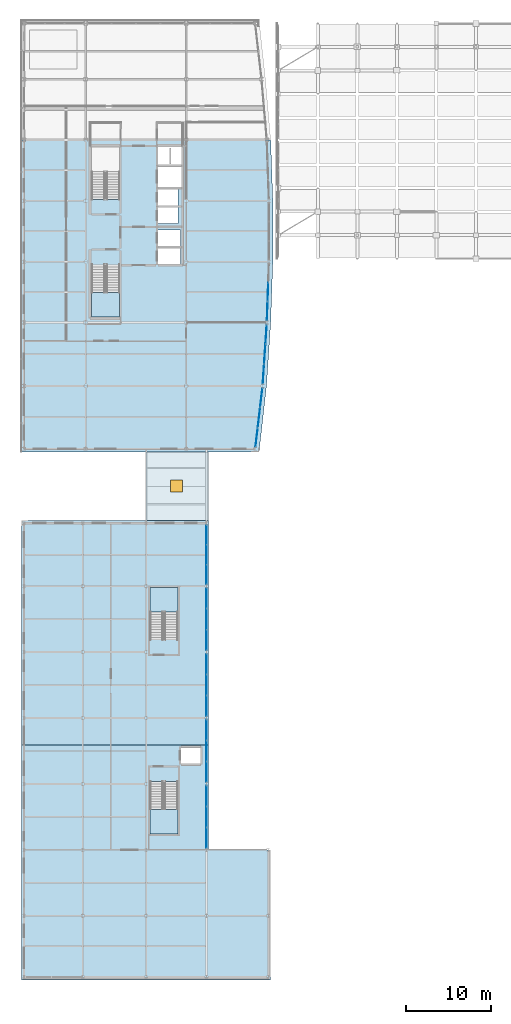
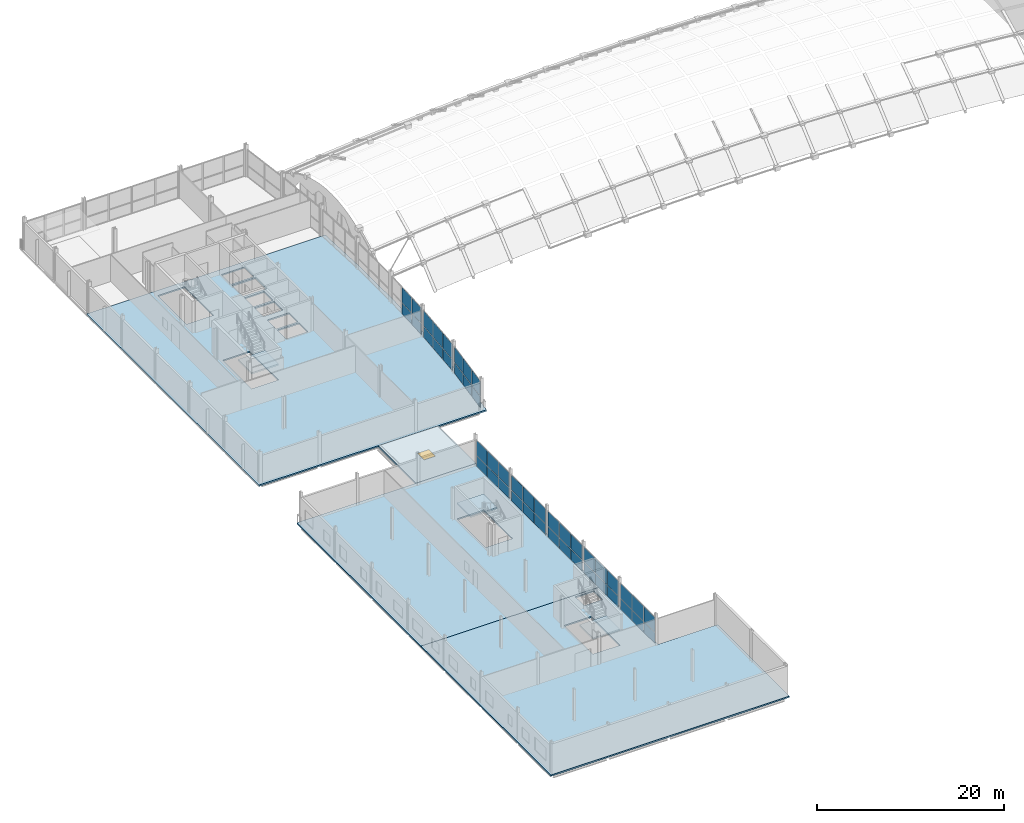
# One storey, part 41 of 65: 46 plates, 7 slabs, 1 window, 1 opening, 11 elements without a shape of their own.
"""IFC4 building model written with IfcOpenShell, lengths in metres."""

import ifcopenshell
import ifcopenshell.guid

model = None  # the IFC model being written
_history = None  # IfcOwnerHistory: only IFC2X3 demands one
_inside = {}  # id of a spatial element -> (the spatial element, [elements in it])
_under = {}  # id of a project, library or spatial element -> (it, [spatial elements below it])
_declared = {}  # id of a project -> (the project, [libraries it declares])
_typed = {}  # id of a type object -> (the type object, [elements of that type])
_made_of = {}  # id of a material, layer set ... -> (it, [elements and type objects made of it])


def new_model(schema):
    """Start an empty IFC model of exactly this schema.

    Asked for "IFC4X3", IfcOpenShell would pick the latest addendum, in which some entities
    have other attributes; the version numbers below select the first issue.
    IFC2X3 requires an IfcOwnerHistory on every rooted entity: one is made here for all.
    """
    global model, _history
    if schema == "IFC4X3":
        model = ifcopenshell.file(schema_version=(4, 3, 0, 0))
    else:
        model = ifcopenshell.file(schema=schema)
    _inside.clear()
    _under.clear()
    _declared.clear()
    _typed.clear()
    _made_of.clear()
    _history = None
    if model.schema == "IFC2X3":
        org = make("IfcOrganization", Name="unknown")
        user = make(
            "IfcPersonAndOrganization",
            ThePerson=make("IfcPerson", FamilyName="unknown"),
            TheOrganization=org,
        )
        app = make(
            "IfcApplication",
            ApplicationDeveloper=org,
            Version="unknown",
            ApplicationFullName="unknown",
            ApplicationIdentifier="unknown",
        )
        _history = make(
            "IfcOwnerHistory",
            OwningUser=user,
            OwningApplication=app,
            ChangeAction="ADDED",
            CreationDate=0,
        )
    return model


def make(cls, **values):
    """One entity of the class cls with the attributes given. An attribute that is None is left unset."""
    return model.create_entity(
        cls, **{name: value for name, value in values.items() if value is not None}
    )


def rooted(cls, **values):
    """An entity with a GlobalId (a new one), such as an element, a storey or a relation."""
    return make(cls, GlobalId=ifcopenshell.guid.new(), OwnerHistory=_history, **values)


def si_unit(unit_type, name, prefix=None):
    """IfcSIUnit, for example si_unit("LENGTHUNIT", "METRE", prefix="MILLI")."""
    return make("IfcSIUnit", UnitType=unit_type, Prefix=prefix, Name=name)


def assignment(units):
    """IfcUnitAssignment: the units of a project."""
    return None if units is None else make("IfcUnitAssignment", Units=units)


def point(xyz):
    """IfcCartesianPoint."""
    return None if xyz is None else make("IfcCartesianPoint", Coordinates=xyz)


def direction(xyz):
    """IfcDirection."""
    return None if xyz is None else make("IfcDirection", DirectionRatios=xyz)


def frame(location, z_axis=None, x_axis=None):
    """IfcAxis2Placement3D, a coordinate frame: its origin and axes. An axis left out is left unset."""
    return make(
        "IfcAxis2Placement3D",
        Location=point(location),
        Axis=direction(z_axis),
        RefDirection=direction(x_axis),
    )


def frame_2d(location, x_axis=None):
    """IfcAxis2Placement2D, a coordinate frame in the plane: its origin and x axis."""
    return make(
        "IfcAxis2Placement2D", Location=point(location), RefDirection=direction(x_axis)
    )


def origin():
    """The frame at (0, 0, 0) with its axes left unset."""
    return frame((0.0, 0.0, 0.0))


def origin_2d():
    """The frame at (0, 0) in the plane with its x axis left unset."""
    return frame_2d((0.0, 0.0))


def place(relative_to, where):
    """IfcLocalPlacement: puts the frame where relative to a parent placement (None: the world)."""
    return make(
        "IfcLocalPlacement", PlacementRelTo=relative_to, RelativePlacement=where
    )


def context(
    kind, dimensions, precision=None, world=None, true_north=None, identifier=None
):
    """IfcGeometricRepresentationContext, for example the 3D "Model" context."""
    return make(
        "IfcGeometricRepresentationContext",
        ContextIdentifier=identifier,
        ContextType=kind,
        CoordinateSpaceDimension=dimensions,
        Precision=precision,
        WorldCoordinateSystem=world,
        TrueNorth=true_north,
    )


def subcontext(parent, identifier, kind, view, scale=None):
    """IfcGeometricRepresentationSubContext, for example "Body" below "Model"."""
    return make(
        "IfcGeometricRepresentationSubContext",
        ContextIdentifier=identifier,
        ContextType=kind,
        ParentContext=parent,
        TargetScale=scale,
        TargetView=view,
    )


def project(units=None, contexts=None):
    """IfcProject with its units and contexts."""
    return rooted(
        "IfcProject",
        Name="project",
        RepresentationContexts=contexts,
        UnitsInContext=assignment(units),
    )


def spatial(cls, under=None, at=None, **own):
    """A site, building, storey or space (cls), placed at a placement, below another one or the project."""
    s = rooted(cls, ObjectPlacement=at, **own)
    if under is not None:
        _under.setdefault(under.id(), (under, []))[1].append(s)
    return s


def polyline(points):
    """IfcPolyline through the points."""
    return make("IfcPolyline", Points=[point(p) for p in points])


def profile(cls, at=None, kind="AREA", **sizes):
    """A parametric profile (cls). Its sizes go by their IFC names, for example OverallWidth=200.0."""
    return make(cls, ProfileType=kind, Position=at, **sizes)


def rectangle(**sizes):
    """IfcRectangleProfileDef."""
    return profile("IfcRectangleProfileDef", **sizes)


def outline(outer, holes=None, kind="AREA"):
    """IfcArbitraryClosedProfileDef: a profile drawn as a closed curve; with holes, ...WithVoids."""
    if holes is None:
        return make("IfcArbitraryClosedProfileDef", ProfileType=kind, OuterCurve=outer)
    return make(
        "IfcArbitraryProfileDefWithVoids",
        ProfileType=kind,
        OuterCurve=outer,
        InnerCurves=holes,
    )


def extrude(swept, where, along, depth):
    """IfcExtrudedAreaSolid: the profile swept, set in the frame where, extruded along a direction by depth."""
    return make(
        "IfcExtrudedAreaSolid",
        SweptArea=swept,
        Position=where,
        ExtrudedDirection=direction(along),
        Depth=depth,
    )


def shape(context_of_items, identifier, shape_type, items):
    """IfcShapeRepresentation: the items that make up one representation, for example the "Body"."""
    return make(
        "IfcShapeRepresentation",
        ContextOfItems=context_of_items,
        RepresentationIdentifier=identifier,
        RepresentationType=shape_type,
        Items=items,
    )


def material(Name=None, Category=None):
    """IfcMaterial."""
    return make("IfcMaterial", Name=Name, Category=Category)


def layer(
    of_material, thickness, ventilated=None, Name=None, Category=None, Priority=None
):
    """IfcMaterialLayer: one layer of a wall or slab, of a material (None: an air gap)."""
    return make(
        "IfcMaterialLayer",
        Material=of_material,
        LayerThickness=thickness,
        IsVentilated=ventilated,
        Name=Name,
        Category=Category,
        Priority=Priority,
    )


def layer_set(layers, Name=None):
    """IfcMaterialLayerSet."""
    return make("IfcMaterialLayerSet", MaterialLayers=layers, LayerSetName=Name)


def made_of(thing, what):
    """Note that an element or type object is made of a material, layer set ...; save() writes the relation."""
    if what is not None:
        _made_of.setdefault(what.id(), (what, []))[1].append(thing)
    return thing


def type_object(cls, material=None, **own):
    """A type object (cls), such as IfcWallType, which elements share."""
    return made_of(rooted(cls, **own), material)


def element(
    cls,
    number,
    at=None,
    inside=None,
    cuts=None,
    type_object=None,
    material=None,
    context=None,
    identifier="Body",
    shape_type=None,
    held_by="IfcProductDefinitionShape",
    body=None,
    shapes=None,
    **own,
):
    """One element of the class cls, such as IfcWall. Its Tag is "e" and its number.

    at: its placement. inside: the storey or other place that contains it. cuts: it is an
    opening in that element (IfcRelVoidsElement). A single representation is given by context,
    identifier, shape_type and body (its items); several are given by shapes. held_by: the class
    of the entity that holds the representations. save() writes the other relations.
    """
    e = rooted(cls, Tag="e%d" % number, ObjectPlacement=at, **own)
    if body is not None:
        shapes = [shape(context, identifier, shape_type, body)]
    if shapes is not None:
        e.Representation = make(held_by, Representations=shapes)
    if inside is not None:
        _inside.setdefault(inside.id(), (inside, []))[1].append(e)
    if cuts is not None:
        rooted(
            "IfcRelVoidsElement", RelatingBuildingElement=cuts, RelatedOpeningElement=e
        )
    if type_object is not None:
        _typed.setdefault(type_object.id(), (type_object, []))[1].append(e)
    return made_of(e, material)


def fill(opening, filler):
    """IfcRelFillsElement: the door or window that sits in an opening."""
    return rooted(
        "IfcRelFillsElement",
        RelatingOpeningElement=opening,
        RelatedBuildingElement=filler,
    )


def aggregate(whole, parts):
    """IfcRelAggregates: a whole, such as a stair, and the parts it consists of."""
    return rooted("IfcRelAggregates", RelatingObject=whole, RelatedObjects=parts)


def save(model, path):
    """Write the relations noted so far, then the file.

    IfcRelAggregates (storeys below a building ...), IfcRelContainedInSpatialStructure (elements
    in a storey), IfcRelDefinesByType, IfcRelAssociatesMaterial and IfcRelDeclares: one each for
    every whole, place, type object, material and project.
    """
    for whole, parts in _under.values():
        aggregate(whole, parts)
    for where, things in _inside.values():
        rooted(
            "IfcRelContainedInSpatialStructure",
            RelatedElements=things,
            RelatingStructure=where,
        )
    for kind, things in _typed.values():
        rooted("IfcRelDefinesByType", RelatedObjects=things, RelatingType=kind)
    for what, things in _made_of.values():
        rooted("IfcRelAssociatesMaterial", RelatedObjects=things, RelatingMaterial=what)
    for by, libraries in _declared.values():
        rooted("IfcRelDeclares", RelatingContext=by, RelatedDefinitions=libraries)
    model.write(path)


model = new_model("IFC4")

# Units and contexts
model_context = context("Model", 3, precision=1e-05, world=origin(), true_north=direction((0.0, 1.0)))
body_context = subcontext(model_context, "Body", "Model", "MODEL_VIEW")
ifc_project = project(units=[si_unit("LENGTHUNIT", "METRE"), si_unit("AREAUNIT", "SQUARE_METRE"), si_unit("VOLUMEUNIT", "CUBIC_METRE"), si_unit("PLANEANGLEUNIT", "RADIAN"), si_unit("MASSUNIT", "GRAM", prefix="KILO")], contexts=[model_context])

# Site, building, storey
site_placement = place(None, origin())
site = spatial("IfcSite", under=ifc_project, at=site_placement, CompositionType="ELEMENT")
building_placement = place(site_placement, origin())
building = spatial("IfcBuilding", under=site, at=building_placement, Name="Quillay Park Conservatory", CompositionType="ELEMENT")
storey_placement = place(building_placement, frame((0.0, 0.0, 14.10009765625)))
storey = spatial("IfcBuildingStorey", under=building, at=storey_placement, Name="L03", CompositionType="ELEMENT", Elevation=14.10009765625)

# Curtain wall, plates
ifc_material_1 = material(Name="Thermally Broken Anodised Aluminium 6063-T6", Category="aluminium")
ifc_layer_1 = layer(ifc_material_1, 0.179931640625)
ifc_layer_set_1 = layer_set([ifc_layer_1], Name="UNITISED CURTAIN WALL TOWER (Thermally Broken Anodised Aluminium 6063-T6)")
curtain_wall_type_1 = type_object("IfcCurtainWallType", Name="UNITISED CURTAIN WALL TOWER", PredefinedType="USERDEFINED", material=ifc_layer_set_1)
curtain_wall_1_placement = place(storey_placement, origin())
curtain_wall_1 = element("IfcCurtainWall", 1, at=curtain_wall_1_placement, inside=storey, type_object=curtain_wall_type_1, Name="L03 Unitised Curtain Wall 028", ObjectType="UNITISED CURTAIN WALL", PredefinedType="USERDEFINED")
ifc_material_2 = material(Name="Low-E Double Glazing (Laminated Tempered)", Category="glass")
ifc_layer_2 = layer(ifc_material_2, 0.028076171875)
ifc_layer_set_2 = layer_set([ifc_layer_2], Name="CURTAIN WALL GLAZED PANEL 28 (Low-E Double Glazing (Laminated Tempered))")
plate_type = type_object("IfcPlateType", Name="CURTAIN WALL GLAZED PANEL 28", PredefinedType="CURTAIN_PANEL", material=ifc_layer_set_2)
plate_1_placement = place(storey_placement, frame((28.636474609375, 69.108642578125, 0.06982421875), z_axis=(0.0, 0.0, 1.0), x_axis=(-0.116654959918, -0.993172502804, 0.0)))
plate_1 = element("IfcPlate", 2, at=plate_1_placement, type_object=plate_type, Name="CW-T1 panel 1.1", PredefinedType="CURTAIN_PANEL", context=body_context, shape_type="SweptSolid", body=[
    extrude(rectangle(XDim=2.26220703125, YDim=0.028076171875, at=origin_2d()), origin(), (0.0, 0.0, 1.0), 1.406494140625),
])
plate_2_placement = place(storey_placement, frame((28.636474609375, 69.108642578125, 1.54638671875), z_axis=(0.0, 0.0, 1.0), x_axis=(-0.116654959918, -0.993172502804, 0.0)))
plate_2 = element("IfcPlate", 3, at=plate_2_placement, type_object=plate_type, Name="CW-T1 panel 1.2", PredefinedType="CURTAIN_PANEL", context=body_context, shape_type="SweptSolid", body=[
    extrude(rectangle(XDim=2.26220703125, YDim=0.028076171875, at=origin_2d()), origin(), (0.0, 0.0, 1.0), 1.982421875),
])
plate_3_placement = place(storey_placement, frame((28.362548828125, 66.77490234375, 0.06982421875), z_axis=(0.0, 0.0, 1.0), x_axis=(-0.116654959918, -0.993172502804, 0.0)))
plate_3 = element("IfcPlate", 4, at=plate_3_placement, type_object=plate_type, Name="CW-T1 panel 2.1", PredefinedType="CURTAIN_PANEL", context=body_context, shape_type="SweptSolid", body=[
    extrude(rectangle(XDim=2.297119140625, YDim=0.028076171875, at=origin_2d()), origin(), (0.0, 0.0, 1.0), 1.406494140625),
])
plate_4_placement = place(storey_placement, frame((28.362548828125, 66.77490234375, 1.54638671875), z_axis=(0.0, 0.0, 1.0), x_axis=(-0.116654959918, -0.993172502804, 0.0)))
plate_4 = element("IfcPlate", 5, at=plate_4_placement, type_object=plate_type, Name="CW-T1 panel 2.2", PredefinedType="CURTAIN_PANEL", context=body_context, shape_type="SweptSolid", body=[
    extrude(rectangle(XDim=2.297119140625, YDim=0.028076171875, at=origin_2d()), origin(), (0.0, 0.0, 1.0), 1.982421875),
])
plate_5_placement = place(storey_placement, frame((28.08837890625, 64.44140625, 0.06982421875), z_axis=(0.0, 0.0, 1.0), x_axis=(-0.116654959918, -0.993172502804, 0.0)))
plate_5 = element("IfcPlate", 6, at=plate_5_placement, type_object=plate_type, Name="CW-T1 panel 3.1", PredefinedType="CURTAIN_PANEL", context=body_context, shape_type="SweptSolid", body=[
    extrude(rectangle(XDim=2.26220703125, YDim=0.028076171875, at=origin_2d()), origin(), (0.0, 0.0, 1.0), 1.406494140625),
])
plate_6_placement = place(storey_placement, frame((28.08837890625, 64.44140625, 1.54638671875), z_axis=(0.0, 0.0, 1.0), x_axis=(-0.116654959918, -0.993172502804, 0.0)))
plate_6 = element("IfcPlate", 7, at=plate_6_placement, type_object=plate_type, Name="CW-T1 panel 3.2", PredefinedType="CURTAIN_PANEL", context=body_context, shape_type="SweptSolid", body=[
    extrude(rectangle(XDim=2.26220703125, YDim=0.028076171875, at=origin_2d()), origin(), (0.0, 0.0, 1.0), 1.982421875),
])
aggregate(curtain_wall_1, [plate_1, plate_2, plate_3, plate_4, plate_5, plate_6])

curtain_wall_2_placement = place(storey_placement, origin())
curtain_wall_2 = element("IfcCurtainWall", 8, at=curtain_wall_2_placement, inside=storey, type_object=curtain_wall_type_1, Name="L03 Unitised Curtain Wall 029", ObjectType="UNITISED CURTAIN WALL", PredefinedType="USERDEFINED")
plate_7_placement = place(storey_placement, frame((29.20654296875, 76.599365234375, 0.06982421875), z_axis=(0.0, 0.0, 1.0), x_axis=(-0.0665208758, -0.997785033503, 0.0)))
plate_7 = element("IfcPlate", 9, at=plate_7_placement, type_object=plate_type, Name="CW-T1 panel 1.1", PredefinedType="CURTAIN_PANEL", context=body_context, shape_type="SweptSolid", body=[
    extrude(rectangle(XDim=2.26708984375, YDim=0.028076171875, at=origin_2d()), origin(), (0.0, 0.0, 1.0), 1.406494140625),
])
plate_8_placement = place(storey_placement, frame((29.20654296875, 76.599365234375, 1.54638671875), z_axis=(0.0, 0.0, 1.0), x_axis=(-0.0665208758, -0.997785033503, 0.0)))
plate_8 = element("IfcPlate", 10, at=plate_8_placement, type_object=plate_type, Name="CW-T1 panel 1.2", PredefinedType="CURTAIN_PANEL", context=body_context, shape_type="SweptSolid", body=[
    extrude(rectangle(XDim=2.26708984375, YDim=0.028076171875, at=origin_2d()), origin(), (0.0, 0.0, 1.0), 1.982421875),
])
plate_9_placement = place(storey_placement, frame((29.050048828125, 74.25, 0.06982421875), z_axis=(0.0, 0.0, 1.0), x_axis=(-0.0665208758, -0.997785033503, 0.0)))
plate_9 = element("IfcPlate", 11, at=plate_9_placement, type_object=plate_type, Name="CW-T1 panel 2.1", PredefinedType="CURTAIN_PANEL", context=body_context, shape_type="SweptSolid", body=[
    extrude(rectangle(XDim=2.30224609375, YDim=0.028076171875, at=origin_2d()), origin(), (0.0, 0.0, 1.0), 1.406494140625),
])
plate_10_placement = place(storey_placement, frame((29.050048828125, 74.25, 1.54638671875), z_axis=(0.0, 0.0, 1.0), x_axis=(-0.0665208758, -0.997785033503, 0.0)))
plate_10 = element("IfcPlate", 12, at=plate_10_placement, type_object=plate_type, Name="CW-T1 panel 2.2", PredefinedType="CURTAIN_PANEL", context=body_context, shape_type="SweptSolid", body=[
    extrude(rectangle(XDim=2.30224609375, YDim=0.028076171875, at=origin_2d()), origin(), (0.0, 0.0, 1.0), 1.982421875),
])
plate_11_placement = place(storey_placement, frame((28.893310546875, 71.900634765625, 0.06982421875), z_axis=(0.0, 0.0, 1.0), x_axis=(-0.0665208758, -0.997785033503, 0.0)))
plate_11 = element("IfcPlate", 13, at=plate_11_placement, type_object=plate_type, Name="CW-T1 panel 3.1", PredefinedType="CURTAIN_PANEL", context=body_context, shape_type="SweptSolid", body=[
    extrude(rectangle(XDim=2.26708984375, YDim=0.028076171875, at=origin_2d()), origin(), (0.0, 0.0, 1.0), 1.406494140625),
])
plate_12_placement = place(storey_placement, frame((28.893310546875, 71.900634765625, 1.54638671875), z_axis=(0.0, 0.0, 1.0), x_axis=(-0.0665208758, -0.997785033503, 0.0)))
plate_12 = element("IfcPlate", 14, at=plate_12_placement, type_object=plate_type, Name="CW-T1 panel 3.2", PredefinedType="CURTAIN_PANEL", context=body_context, shape_type="SweptSolid", body=[
    extrude(rectangle(XDim=2.26708984375, YDim=0.028076171875, at=origin_2d()), origin(), (0.0, 0.0, 1.0), 1.982421875),
])
aggregate(curtain_wall_2, [plate_7, plate_8, plate_9, plate_10, plate_11, plate_12])

curtain_wall_3_placement = place(storey_placement, origin())
curtain_wall_3 = element("IfcCurtainWall", 15, at=curtain_wall_3_placement, inside=storey, type_object=curtain_wall_type_1, Name="L03 Unitised Curtain Wall 030", ObjectType="UNITISED CURTAIN WALL", PredefinedType="USERDEFINED")
plate_13_placement = place(storey_placement, frame((29.425048828125, 81.60009765625, 0.06982421875), z_axis=(0.0, 0.0, 1.0), x_axis=(-0.034713338537, -0.999397310446, 0.0)))
plate_13 = element("IfcPlate", 16, at=plate_13_placement, type_object=plate_type, Name="CW-T1 panel 2.1", PredefinedType="CURTAIN_PANEL", context=body_context, shape_type="SweptSolid", body=[
    extrude(rectangle(XDim=2.197998046875, YDim=0.028076171875, at=origin_2d()), origin(), (0.0, 0.0, 1.0), 1.406494140625),
])
plate_14_placement = place(storey_placement, frame((29.425048828125, 81.60009765625, 1.54638671875), z_axis=(0.0, 0.0, 1.0), x_axis=(-0.034713338537, -0.999397310446, 0.0)))
plate_14 = element("IfcPlate", 17, at=plate_14_placement, type_object=plate_type, Name="CW-T1 panel 2.2", PredefinedType="CURTAIN_PANEL", context=body_context, shape_type="SweptSolid", body=[
    extrude(rectangle(XDim=2.197998046875, YDim=0.028076171875, at=origin_2d()), origin(), (0.0, 0.0, 1.0), 1.982421875),
])
plate_15_placement = place(storey_placement, frame((29.346923828125, 79.350830078125, 0.06982421875), z_axis=(0.0, 0.0, 1.0), x_axis=(-0.034713338537, -0.999397310446, 0.0)))
plate_15 = element("IfcPlate", 18, at=plate_15_placement, type_object=plate_type, Name="CW-T1 panel 3.1", PredefinedType="CURTAIN_PANEL", context=body_context, shape_type="SweptSolid", body=[
    extrude(rectangle(XDim=2.1630859375, YDim=0.028076171875, at=origin_2d()), origin(), (0.0, 0.0, 1.0), 1.406494140625),
])
plate_16_placement = place(storey_placement, frame((29.346923828125, 79.350830078125, 1.54638671875), z_axis=(0.0, 0.0, 1.0), x_axis=(-0.034713338537, -0.999397310446, 0.0)))
plate_16 = element("IfcPlate", 19, at=plate_16_placement, type_object=plate_type, Name="CW-T1 panel 3.2", PredefinedType="CURTAIN_PANEL", context=body_context, shape_type="SweptSolid", body=[
    extrude(rectangle(XDim=2.1630859375, YDim=0.028076171875, at=origin_2d()), origin(), (0.0, 0.0, 1.0), 1.982421875),
])
aggregate(curtain_wall_3, [plate_13, plate_14, plate_15, plate_16])

ifc_material_3 = material(Name="Thermally Broken Anodised Aluminium 6063-T6", Category="aluminium")
ifc_layer_3 = layer(ifc_material_3, 0.1650390625)
ifc_layer_set_3 = layer_set([ifc_layer_3], Name="UNITISED CURTAIN WALL PODIUM (Thermally Broken Anodised Aluminium 6063-T6)")
curtain_wall_type_2 = type_object("IfcCurtainWallType", Name="UNITISED CURTAIN WALL PODIUM", PredefinedType="USERDEFINED", material=ifc_layer_set_3)
curtain_wall_4_placement = place(storey_placement, origin())
curtain_wall_4 = element("IfcCurtainWall", 20, at=curtain_wall_4_placement, inside=storey, type_object=curtain_wall_type_2, Name="L03 Unitised Curtain Wall 210", ObjectType="UNITISED CURTAIN WALL", PredefinedType="USERDEFINED")
plate_17_placement = place(storey_placement, frame((22.14990234375, 21.975830078125, 0.06982421875), z_axis=(0.0, 0.0, 1.0), x_axis=(0.0, -1.0, 0.0)))
plate_17 = element("IfcPlate", 21, at=plate_17_placement, type_object=plate_type, Name="CW-P1 panel 1.1", PredefinedType="CURTAIN_PANEL", context=body_context, shape_type="SweptSolid", body=[
    extrude(rectangle(XDim=2.388427734375, YDim=0.028076171875, at=origin_2d()), origin(), (0.0, 0.0, 1.0), 1.370849609375),
])
plate_18_placement = place(storey_placement, frame((22.14990234375, 21.975830078125, 1.5107421875), z_axis=(0.0, 0.0, 1.0), x_axis=(0.0, -1.0, 0.0)))
plate_18 = element("IfcPlate", 22, at=plate_18_placement, type_object=plate_type, Name="CW-P1 panel 1.2", PredefinedType="CURTAIN_PANEL", context=body_context, shape_type="SweptSolid", body=[
    extrude(rectangle(XDim=2.388427734375, YDim=0.028076171875, at=origin_2d()), origin(), (0.0, 0.0, 1.0), 1.93310546875),
])
plate_19_placement = place(storey_placement, frame((22.14990234375, 19.5, 0.06982421875), z_axis=(0.0, 0.0, 1.0), x_axis=(0.0, -1.0, 0.0)))
plate_19 = element("IfcPlate", 23, at=plate_19_placement, type_object=plate_type, Name="CW-P1 panel 2.1", PredefinedType="CURTAIN_PANEL", context=body_context, shape_type="SweptSolid", body=[
    extrude(rectangle(XDim=2.42333984375, YDim=0.028076171875, at=origin_2d()), origin(), (0.0, 0.0, 1.0), 1.370849609375),
])
plate_20_placement = place(storey_placement, frame((22.14990234375, 19.5, 1.5107421875), z_axis=(0.0, 0.0, 1.0), x_axis=(0.0, -1.0, 0.0)))
plate_20 = element("IfcPlate", 24, at=plate_20_placement, type_object=plate_type, Name="CW-P1 panel 2.2", PredefinedType="CURTAIN_PANEL", context=body_context, shape_type="SweptSolid", body=[
    extrude(rectangle(XDim=2.42333984375, YDim=0.028076171875, at=origin_2d()), origin(), (0.0, 0.0, 1.0), 1.93310546875),
])
plate_21_placement = place(storey_placement, frame((22.14990234375, 17.024169921875, 0.06982421875), z_axis=(0.0, 0.0, 1.0), x_axis=(0.0, -1.0, 0.0)))
plate_21 = element("IfcPlate", 25, at=plate_21_placement, type_object=plate_type, Name="CW-P1 panel 3.1", PredefinedType="CURTAIN_PANEL", context=body_context, shape_type="SweptSolid", body=[
    extrude(rectangle(XDim=2.388427734375, YDim=0.028076171875, at=origin_2d()), origin(), (0.0, 0.0, 1.0), 1.370849609375),
])
plate_22_placement = place(storey_placement, frame((22.14990234375, 17.024169921875, 1.5107421875), z_axis=(0.0, 0.0, 1.0), x_axis=(0.0, -1.0, 0.0)))
plate_22 = element("IfcPlate", 26, at=plate_22_placement, type_object=plate_type, Name="CW-P1 panel 3.2", PredefinedType="CURTAIN_PANEL", context=body_context, shape_type="SweptSolid", body=[
    extrude(rectangle(XDim=2.388427734375, YDim=0.028076171875, at=origin_2d()), origin(), (0.0, 0.0, 1.0), 1.93310546875),
])
aggregate(curtain_wall_4, [plate_17, plate_18, plate_19, plate_20, plate_21, plate_22])

curtain_wall_5_placement = place(storey_placement, origin())
curtain_wall_5 = element("IfcCurtainWall", 27, at=curtain_wall_5_placement, inside=storey, type_object=curtain_wall_type_2, Name="L03 Unitised Curtain Wall 211", ObjectType="UNITISED CURTAIN WALL", PredefinedType="USERDEFINED")
plate_23_placement = place(storey_placement, frame((22.14990234375, 29.77587890625, 0.06982421875), z_axis=(0.0, 0.0, 1.0), x_axis=(0.0, -1.0, 0.0)))
plate_23 = element("IfcPlate", 28, at=plate_23_placement, type_object=plate_type, Name="CW-P1 panel 1.1", PredefinedType="CURTAIN_PANEL", context=body_context, shape_type="SweptSolid", body=[
    extrude(rectangle(XDim=2.388427734375, YDim=0.028076171875, at=origin_2d()), origin(), (0.0, 0.0, 1.0), 1.370849609375),
])
plate_24_placement = place(storey_placement, frame((22.14990234375, 29.77587890625, 1.5107421875), z_axis=(0.0, 0.0, 1.0), x_axis=(0.0, -1.0, 0.0)))
plate_24 = element("IfcPlate", 29, at=plate_24_placement, type_object=plate_type, Name="CW-P1 panel 1.2", PredefinedType="CURTAIN_PANEL", context=body_context, shape_type="SweptSolid", body=[
    extrude(rectangle(XDim=2.388427734375, YDim=0.028076171875, at=origin_2d()), origin(), (0.0, 0.0, 1.0), 1.93310546875),
])
plate_25_placement = place(storey_placement, frame((22.14990234375, 27.300048828125, 0.06982421875), z_axis=(0.0, 0.0, 1.0), x_axis=(0.0, -1.0, 0.0)))
plate_25 = element("IfcPlate", 30, at=plate_25_placement, type_object=plate_type, Name="CW-P1 panel 2.1", PredefinedType="CURTAIN_PANEL", context=body_context, shape_type="SweptSolid", body=[
    extrude(rectangle(XDim=2.42333984375, YDim=0.028076171875, at=origin_2d()), origin(), (0.0, 0.0, 1.0), 1.370849609375),
])
plate_26_placement = place(storey_placement, frame((22.14990234375, 27.300048828125, 1.5107421875), z_axis=(0.0, 0.0, 1.0), x_axis=(0.0, -1.0, 0.0)))
plate_26 = element("IfcPlate", 31, at=plate_26_placement, type_object=plate_type, Name="CW-P1 panel 2.2", PredefinedType="CURTAIN_PANEL", context=body_context, shape_type="SweptSolid", body=[
    extrude(rectangle(XDim=2.42333984375, YDim=0.028076171875, at=origin_2d()), origin(), (0.0, 0.0, 1.0), 1.93310546875),
])
plate_27_placement = place(storey_placement, frame((22.14990234375, 24.82421875, 0.06982421875), z_axis=(0.0, 0.0, 1.0), x_axis=(0.0, -1.0, 0.0)))
plate_27 = element("IfcPlate", 32, at=plate_27_placement, type_object=plate_type, Name="CW-P1 panel 3.1", PredefinedType="CURTAIN_PANEL", context=body_context, shape_type="SweptSolid", body=[
    extrude(rectangle(XDim=2.388427734375, YDim=0.028076171875, at=origin_2d()), origin(), (0.0, 0.0, 1.0), 1.370849609375),
])
plate_28_placement = place(storey_placement, frame((22.14990234375, 24.82421875, 1.5107421875), z_axis=(0.0, 0.0, 1.0), x_axis=(0.0, -1.0, 0.0)))
plate_28 = element("IfcPlate", 33, at=plate_28_placement, type_object=plate_type, Name="CW-P1 panel 3.2", PredefinedType="CURTAIN_PANEL", context=body_context, shape_type="SweptSolid", body=[
    extrude(rectangle(XDim=2.388427734375, YDim=0.028076171875, at=origin_2d()), origin(), (0.0, 0.0, 1.0), 1.93310546875),
])
aggregate(curtain_wall_5, [plate_23, plate_24, plate_25, plate_26, plate_27, plate_28])

curtain_wall_6_placement = place(storey_placement, origin())
curtain_wall_6 = element("IfcCurtainWall", 34, at=curtain_wall_6_placement, inside=storey, type_object=curtain_wall_type_2, Name="L03 Unitised Curtain Wall 212", ObjectType="UNITISED CURTAIN WALL", PredefinedType="USERDEFINED")
plate_29_placement = place(storey_placement, frame((22.14990234375, 37.575927734375, 0.06982421875), z_axis=(0.0, 0.0, 1.0), x_axis=(0.0, -1.0, 0.0)))
plate_29 = element("IfcPlate", 35, at=plate_29_placement, type_object=plate_type, Name="CW-P1 panel 1.1", PredefinedType="CURTAIN_PANEL", context=body_context, shape_type="SweptSolid", body=[
    extrude(rectangle(XDim=2.388427734375, YDim=0.028076171875, at=origin_2d()), origin(), (0.0, 0.0, 1.0), 1.370849609375),
])
plate_30_placement = place(storey_placement, frame((22.14990234375, 37.575927734375, 1.5107421875), z_axis=(0.0, 0.0, 1.0), x_axis=(0.0, -1.0, 0.0)))
plate_30 = element("IfcPlate", 36, at=plate_30_placement, type_object=plate_type, Name="CW-P1 panel 1.2", PredefinedType="CURTAIN_PANEL", context=body_context, shape_type="SweptSolid", body=[
    extrude(rectangle(XDim=2.388427734375, YDim=0.028076171875, at=origin_2d()), origin(), (0.0, 0.0, 1.0), 1.93310546875),
])
plate_31_placement = place(storey_placement, frame((22.14990234375, 35.10009765625, 0.06982421875), z_axis=(0.0, 0.0, 1.0), x_axis=(0.0, -1.0, 0.0)))
plate_31 = element("IfcPlate", 37, at=plate_31_placement, type_object=plate_type, Name="CW-P1 panel 2.1", PredefinedType="CURTAIN_PANEL", context=body_context, shape_type="SweptSolid", body=[
    extrude(rectangle(XDim=2.42333984375, YDim=0.028076171875, at=origin_2d()), origin(), (0.0, 0.0, 1.0), 1.370849609375),
])
plate_32_placement = place(storey_placement, frame((22.14990234375, 35.10009765625, 1.5107421875), z_axis=(0.0, 0.0, 1.0), x_axis=(0.0, -1.0, 0.0)))
plate_32 = element("IfcPlate", 38, at=plate_32_placement, type_object=plate_type, Name="CW-P1 panel 2.2", PredefinedType="CURTAIN_PANEL", context=body_context, shape_type="SweptSolid", body=[
    extrude(rectangle(XDim=2.42333984375, YDim=0.028076171875, at=origin_2d()), origin(), (0.0, 0.0, 1.0), 1.93310546875),
])
plate_33_placement = place(storey_placement, frame((22.14990234375, 32.624267578125, 0.06982421875), z_axis=(0.0, 0.0, 1.0), x_axis=(0.0, -1.0, 0.0)))
plate_33 = element("IfcPlate", 39, at=plate_33_placement, type_object=plate_type, Name="CW-P1 panel 3.1", PredefinedType="CURTAIN_PANEL", context=body_context, shape_type="SweptSolid", body=[
    extrude(rectangle(XDim=2.388427734375, YDim=0.028076171875, at=origin_2d()), origin(), (0.0, 0.0, 1.0), 1.370849609375),
])
plate_34_placement = place(storey_placement, frame((22.14990234375, 32.624267578125, 1.5107421875), z_axis=(0.0, 0.0, 1.0), x_axis=(0.0, -1.0, 0.0)))
plate_34 = element("IfcPlate", 40, at=plate_34_placement, type_object=plate_type, Name="CW-P1 panel 3.2", PredefinedType="CURTAIN_PANEL", context=body_context, shape_type="SweptSolid", body=[
    extrude(rectangle(XDim=2.388427734375, YDim=0.028076171875, at=origin_2d()), origin(), (0.0, 0.0, 1.0), 1.93310546875),
])
aggregate(curtain_wall_6, [plate_29, plate_30, plate_31, plate_32, plate_33, plate_34])

curtain_wall_7_placement = place(storey_placement, origin())
curtain_wall_7 = element("IfcCurtainWall", 41, at=curtain_wall_7_placement, inside=storey, type_object=curtain_wall_type_2, Name="L03 Unitised Curtain Wall 213", ObjectType="UNITISED CURTAIN WALL", PredefinedType="USERDEFINED")
plate_35_placement = place(storey_placement, frame((22.14990234375, 45.375732421875, 0.06982421875), z_axis=(0.0, 0.0, 1.0), x_axis=(0.0, -1.0, 0.0)))
plate_35 = element("IfcPlate", 42, at=plate_35_placement, type_object=plate_type, Name="CW-P1 panel 1.1", PredefinedType="CURTAIN_PANEL", context=body_context, shape_type="SweptSolid", body=[
    extrude(rectangle(XDim=2.388427734375, YDim=0.028076171875, at=origin_2d()), origin(), (0.0, 0.0, 1.0), 1.370849609375),
])
plate_36_placement = place(storey_placement, frame((22.14990234375, 45.375732421875, 1.5107421875), z_axis=(0.0, 0.0, 1.0), x_axis=(0.0, -1.0, 0.0)))
plate_36 = element("IfcPlate", 43, at=plate_36_placement, type_object=plate_type, Name="CW-P1 panel 1.2", PredefinedType="CURTAIN_PANEL", context=body_context, shape_type="SweptSolid", body=[
    extrude(rectangle(XDim=2.388427734375, YDim=0.028076171875, at=origin_2d()), origin(), (0.0, 0.0, 1.0), 1.93310546875),
])
plate_37_placement = place(storey_placement, frame((22.14990234375, 42.89990234375, 0.06982421875), z_axis=(0.0, 0.0, 1.0), x_axis=(0.0, -1.0, 0.0)))
plate_37 = element("IfcPlate", 44, at=plate_37_placement, type_object=plate_type, Name="CW-P1 panel 2.1", PredefinedType="CURTAIN_PANEL", context=body_context, shape_type="SweptSolid", body=[
    extrude(rectangle(XDim=2.42333984375, YDim=0.028076171875, at=origin_2d()), origin(), (0.0, 0.0, 1.0), 1.370849609375),
])
plate_38_placement = place(storey_placement, frame((22.14990234375, 42.89990234375, 1.5107421875), z_axis=(0.0, 0.0, 1.0), x_axis=(0.0, -1.0, 0.0)))
plate_38 = element("IfcPlate", 45, at=plate_38_placement, type_object=plate_type, Name="CW-P1 panel 2.2", PredefinedType="CURTAIN_PANEL", context=body_context, shape_type="SweptSolid", body=[
    extrude(rectangle(XDim=2.42333984375, YDim=0.028076171875, at=origin_2d()), origin(), (0.0, 0.0, 1.0), 1.93310546875),
])
plate_39_placement = place(storey_placement, frame((22.14990234375, 40.424072265625, 0.06982421875), z_axis=(0.0, 0.0, 1.0), x_axis=(0.0, -1.0, 0.0)))
plate_39 = element("IfcPlate", 46, at=plate_39_placement, type_object=plate_type, Name="CW-P1 panel 3.1", PredefinedType="CURTAIN_PANEL", context=body_context, shape_type="SweptSolid", body=[
    extrude(rectangle(XDim=2.388427734375, YDim=0.028076171875, at=origin_2d()), origin(), (0.0, 0.0, 1.0), 1.370849609375),
])
plate_40_placement = place(storey_placement, frame((22.14990234375, 40.424072265625, 1.5107421875), z_axis=(0.0, 0.0, 1.0), x_axis=(0.0, -1.0, 0.0)))
plate_40 = element("IfcPlate", 47, at=plate_40_placement, type_object=plate_type, Name="CW-P1 panel 3.2", PredefinedType="CURTAIN_PANEL", context=body_context, shape_type="SweptSolid", body=[
    extrude(rectangle(XDim=2.388427734375, YDim=0.028076171875, at=origin_2d()), origin(), (0.0, 0.0, 1.0), 1.93310546875),
])
aggregate(curtain_wall_7, [plate_35, plate_36, plate_37, plate_38, plate_39, plate_40])

curtain_wall_8_placement = place(storey_placement, origin())
curtain_wall_8 = element("IfcCurtainWall", 48, at=curtain_wall_8_placement, inside=storey, type_object=curtain_wall_type_2, Name="L03 Unitised Curtain Wall 214", ObjectType="UNITISED CURTAIN WALL", PredefinedType="USERDEFINED")
plate_41_placement = place(storey_placement, frame((22.14990234375, 52.88427734375, 0.06982421875), z_axis=(0.0, 0.0, 1.0), x_axis=(0.0, -1.0, 0.0)))
plate_41 = element("IfcPlate", 49, at=plate_41_placement, type_object=plate_type, Name="CW-P1 panel 1.1", PredefinedType="CURTAIN_PANEL", context=body_context, shape_type="SweptSolid", body=[
    extrude(rectangle(XDim=2.271728515625, YDim=0.028076171875, at=origin_2d()), origin(), (0.0, 0.0, 1.0), 1.370849609375),
])
plate_42_placement = place(storey_placement, frame((22.14990234375, 52.88427734375, 1.5107421875), z_axis=(0.0, 0.0, 1.0), x_axis=(0.0, -1.0, 0.0)))
plate_42 = element("IfcPlate", 50, at=plate_42_placement, type_object=plate_type, Name="CW-P1 panel 1.2", PredefinedType="CURTAIN_PANEL", context=body_context, shape_type="SweptSolid", body=[
    extrude(rectangle(XDim=2.271728515625, YDim=0.028076171875, at=origin_2d()), origin(), (0.0, 0.0, 1.0), 1.93310546875),
])
plate_43_placement = place(storey_placement, frame((22.14990234375, 50.52490234375, 0.06982421875), z_axis=(0.0, 0.0, 1.0), x_axis=(0.0, -1.0, 0.0)))
plate_43 = element("IfcPlate", 51, at=plate_43_placement, type_object=plate_type, Name="CW-P1 panel 2.1", PredefinedType="CURTAIN_PANEL", context=body_context, shape_type="SweptSolid", body=[
    extrude(rectangle(XDim=2.306640625, YDim=0.028076171875, at=origin_2d()), origin(), (0.0, 0.0, 1.0), 1.370849609375),
])
plate_44_placement = place(storey_placement, frame((22.14990234375, 50.52490234375, 1.5107421875), z_axis=(0.0, 0.0, 1.0), x_axis=(0.0, -1.0, 0.0)))
plate_44 = element("IfcPlate", 52, at=plate_44_placement, type_object=plate_type, Name="CW-P1 panel 2.2", PredefinedType="CURTAIN_PANEL", context=body_context, shape_type="SweptSolid", body=[
    extrude(rectangle(XDim=2.306640625, YDim=0.028076171875, at=origin_2d()), origin(), (0.0, 0.0, 1.0), 1.93310546875),
])
plate_45_placement = place(storey_placement, frame((22.14990234375, 48.165771484375, 0.06982421875), z_axis=(0.0, 0.0, 1.0), x_axis=(0.0, -1.0, 0.0)))
plate_45 = element("IfcPlate", 53, at=plate_45_placement, type_object=plate_type, Name="CW-P1 panel 3.1", PredefinedType="CURTAIN_PANEL", context=body_context, shape_type="SweptSolid", body=[
    extrude(rectangle(XDim=2.271728515625, YDim=0.028076171875, at=origin_2d()), origin(), (0.0, 0.0, 1.0), 1.370849609375),
])
plate_46_placement = place(storey_placement, frame((22.14990234375, 48.165771484375, 1.5107421875), z_axis=(0.0, 0.0, 1.0), x_axis=(0.0, -1.0, 0.0)))
plate_46 = element("IfcPlate", 54, at=plate_46_placement, type_object=plate_type, Name="CW-P1 panel 3.2", PredefinedType="CURTAIN_PANEL", context=body_context, shape_type="SweptSolid", body=[
    extrude(rectangle(XDim=2.271728515625, YDim=0.028076171875, at=origin_2d()), origin(), (0.0, 0.0, 1.0), 1.93310546875),
])
aggregate(curtain_wall_8, [plate_41, plate_42, plate_43, plate_44, plate_45, plate_46])

# Slab, opening, window
ifc_material_4 = material(Name="Concrete C35/45 (NCh170 Concrete C35/45)", Category="concrete")
ifc_layer_4 = layer(ifc_material_4, 0.215087890625)
ifc_layer_set_4 = layer_set([ifc_layer_4], Name="FLAT ROOF SLAB 215 (Concrete C35/45 (NCh170 Concrete C35/45))")
slab_type_1 = type_object("IfcSlabType", Name="FLAT ROOF SLAB 215", PredefinedType="ROOF", material=ifc_layer_set_4)
slab_1_placement = place(storey_placement, frame((0.0, 0.0, -0.215087890625)))
slab_1 = element("IfcSlab", 55, at=slab_1_placement, inside=storey, type_object=slab_type_1, Name="Seismic Link Bridge LB-1 Roof Slab", PredefinedType="ROOF", context=body_context, shape_type="SweptSolid", body=[
    extrude(outline(polyline([(15.0, 54.60009765625), (22.39990234375, 54.60009765625), (22.39990234375, 62.699951171875), (15.0, 62.699951171875), (15.0, 54.60009765625)])), origin(), (0.0, 0.0, 1.0), 0.215087890625),
])
opening_placement = place(slab_1_placement, frame((18.60009765625, 58.64990234375, 0.0)))
opening = element("IfcOpeningElement", 56, at=opening_placement, cuts=slab_1, Name="Opening RH-04", PredefinedType="OPENING", context=body_context, shape_type="SweptSolid", body=[
    extrude(rectangle(XDim=1.39990234375, YDim=1.39990234375, at=origin_2d()), origin(), (0.0, 0.0, 1.0), 0.215087890625),
])
ifc_material_5 = material(Name="Thermally Broken Anodised Aluminium 6063-T6", Category="aluminium")
window_type = type_object("IfcWindowType", Name="ROOF ACCESS HATCH 1400 X1400", PartitioningType="SINGLE_PANEL", PredefinedType="SKYLIGHT", material=ifc_material_5)
window_placement = place(opening_placement, frame((0.0, 0.0, 0.1650390625)))
window = element("IfcWindow", 57, at=window_placement, inside=storey, type_object=window_type, Name="L03 Roof Access Hatch RH-04", OverallHeight=1.39990234375, OverallWidth=1.39990234375, PartitioningType="SINGLE_PANEL", PredefinedType="SKYLIGHT", context=body_context, shape_type="SweptSolid", body=[
    extrude(rectangle(XDim=1.39990234375, YDim=1.39990234375, at=origin_2d()), origin(), (0.0, 0.0, 1.0), 0.050048828125),
])
fill(opening, window)

# Stair, slab
ifc_material_6 = material(Name="Concrete C35/45 (NCh170 Concrete C35/45)", Category="concrete")
stair_type = type_object("IfcStairType", Name="ENCLOSED DOG LEG STAIR 4200", PredefinedType="HALF_TURN_STAIR", material=ifc_material_6)
stair_1_placement = place(storey_placement, origin())
stair_1 = element("IfcStair", 58, at=stair_1_placement, inside=storey, type_object=stair_type, Name="L03 Tower Protected Exit Stair 2", PredefinedType="HALF_TURN_STAIR")
ifc_material_7 = material(Name="Concrete C35/45 (NCh170 Concrete C35/45)", Category="concrete")
ifc_layer_5 = layer(ifc_material_7, 0.199951171875)
ifc_layer_set_5 = layer_set([ifc_layer_5], Name="STAIR LANDING SLAB 200 (Concrete C35/45 (NCh170 Concrete C35/45))")
slab_type_2 = type_object("IfcSlabType", Name="STAIR LANDING SLAB 200", PredefinedType="LANDING", material=ifc_layer_set_5)
slab_2_placement = place(storey_placement, frame((0.0, 0.0, 1.89990234375)))
slab_2 = element("IfcSlab", 59, at=slab_2_placement, type_object=slab_type_2, Name="ST-T2 landing 1", PredefinedType="LANDING", context=body_context, shape_type="SweptSolid", body=[
    extrude(outline(polyline([(8.550048828125, 81.550048828125), (8.550048828125, 78.64990234375), (11.8701171875, 78.64990234375), (11.8701171875, 81.550048828125), (8.550048828125, 81.550048828125)])), origin(), (0.0, 0.0, 1.0), 0.199951171875),
])
aggregate(stair_1, [slab_2])

stair_2_placement = place(storey_placement, origin())
stair_2 = element("IfcStair", 60, at=stair_2_placement, inside=storey, type_object=stair_type, Name="L03 Visitor Centre Exit Stair 1", PredefinedType="HALF_TURN_STAIR")
slab_3_placement = place(storey_placement, frame((0.0, 0.0, 1.89990234375)))
slab_3 = element("IfcSlab", 61, at=slab_3_placement, type_object=slab_type_2, Name="ST-V1 landing 1", PredefinedType="LANDING", context=body_context, shape_type="SweptSolid", body=[
    extrude(outline(polyline([(15.449951171875, 20.39990234375), (15.449951171875, 17.5), (18.77001953125, 17.5), (18.77001953125, 20.39990234375), (15.449951171875, 20.39990234375)])), origin(), (0.0, 0.0, 1.0), 0.199951171875),
])
aggregate(stair_2, [slab_3])

stair_3_placement = place(storey_placement, origin())
stair_3 = element("IfcStair", 62, at=stair_3_placement, inside=storey, type_object=stair_type, Name="L03 Visitor Centre Exit Stair 2", PredefinedType="HALF_TURN_STAIR")
slab_4_placement = place(storey_placement, frame((0.0, 0.0, 1.89990234375)))
slab_4 = element("IfcSlab", 63, at=slab_4_placement, type_object=slab_type_2, Name="ST-V2 landing 1", PredefinedType="LANDING", context=body_context, shape_type="SweptSolid", body=[
    extrude(outline(polyline([(18.77001953125, 43.75), (18.77001953125, 46.64990234375), (15.449951171875, 46.64990234375), (15.449951171875, 43.75), (18.77001953125, 43.75)])), origin(), (0.0, 0.0, 1.0), 0.199951171875),
])
aggregate(stair_3, [slab_4])

# Slabs
ifc_material_8 = material(Name="Concrete C35/45 (NCh170 Concrete C35/45)", Category="concrete")
ifc_layer_6 = layer(ifc_material_8, 0.18505859375)
ifc_layer_set_6 = layer_set([ifc_layer_6], Name="SUSPENDED FLOOR SLAB 185 (Concrete C35/45 (NCh170 Concrete C35/45))")
slab_type_3 = type_object("IfcSlabType", Name="SUSPENDED FLOOR SLAB 185", PredefinedType="FLOOR", material=ifc_layer_set_6)
slab_5_placement = place(storey_placement, frame((0.0, 0.0, -0.18505859375)))
element("IfcSlab", 64, at=slab_5_placement, inside=storey, type_object=slab_type_3, Name="L03 slab SLB-V3-L03-S", PredefinedType="FLOOR", context=body_context, shape_type="SweptSolid", body=[
    extrude(outline(polyline([(0.25, 0.199951171875), (29.75, 0.199951171875), (29.75, 15.60009765625), (22.39990234375, 15.60009765625), (22.39990234375, 28.0), (0.25, 28.0), (0.25, 0.199951171875)]), holes=[polyline([(15.449951171875, 17.5), (18.77001953125, 17.5), (18.77001953125, 23.669921875), (15.449951171875, 23.669921875), (15.449951171875, 17.5)]), polyline([(19.14990234375, 25.800048828125), (21.449951171875, 25.800048828125), (21.449951171875, 27.699951171875), (19.14990234375, 27.699951171875), (19.14990234375, 25.800048828125)])]), origin(), (0.0, 0.0, 1.0), 0.18505859375),
])
slab_6_placement = place(storey_placement, frame((0.0, 0.0, -0.18505859375)))
element("IfcSlab", 65, at=slab_6_placement, inside=storey, type_object=slab_type_3, Name="L03 slab SLB-V3-L03-N", PredefinedType="FLOOR", context=body_context, shape_type="SweptSolid", body=[
    extrude(outline(polyline([(0.25, 28.0), (22.39990234375, 28.0), (22.39990234375, 54.60009765625), (0.25, 54.60009765625), (0.25, 28.0)]), holes=[polyline([(15.449951171875, 40.47998046875), (18.77001953125, 40.47998046875), (18.77001953125, 46.64990234375), (15.449951171875, 46.64990234375), (15.449951171875, 40.47998046875)])]), origin(), (0.0, 0.0, 1.0), 0.18505859375),
])
slab_7_placement = place(storey_placement, frame((0.0, 0.0, -0.18505859375)))
element("IfcSlab", 66, at=slab_7_placement, inside=storey, type_object=slab_type_3, Name="L03 Research Tower South Chord Plate", PredefinedType="FLOOR", context=body_context, shape_type="SweptSolid", body=[
    extrude(outline(polyline([(0.25, 62.699951171875), (28.375, 62.699951171875), (29.25, 70.5), (29.75, 78.0), (30.0, 85.199951171875), (30.0, 92.39990234375), (29.75, 99.60009765625), (0.25, 99.60009765625), (0.25, 62.699951171875)]), holes=[polyline([(8.550048828125, 92.580078125), (11.8701171875, 92.580078125), (11.8701171875, 98.75), (8.550048828125, 98.75), (8.550048828125, 92.580078125)]), polyline([(8.550048828125, 78.64990234375), (11.8701171875, 78.64990234375), (11.8701171875, 84.820068359375), (8.550048828125, 84.820068359375), (8.550048828125, 78.64990234375)]), polyline([(16.39990234375, 84.89990234375), (19.10009765625, 84.89990234375), (19.10009765625, 86.800048828125), (16.39990234375, 86.800048828125), (16.39990234375, 84.89990234375)]), polyline([(16.39990234375, 87.050048828125), (19.10009765625, 87.050048828125), (19.10009765625, 88.949951171875), (16.39990234375, 88.949951171875), (16.39990234375, 87.050048828125)]), polyline([(16.39990234375, 89.699951171875), (18.800048828125, 89.699951171875), (18.800048828125, 91.60009765625), (16.39990234375, 91.60009765625), (16.39990234375, 89.699951171875)]), polyline([(16.39990234375, 91.85009765625), (18.800048828125, 91.85009765625), (18.800048828125, 93.75), (16.39990234375, 93.75), (16.39990234375, 91.85009765625)]), polyline([(16.39990234375, 94.050048828125), (19.300048828125, 94.050048828125), (19.300048828125, 96.449951171875), (16.39990234375, 96.449951171875), (16.39990234375, 94.050048828125)]), polyline([(16.39990234375, 96.699951171875), (19.300048828125, 96.699951171875), (19.300048828125, 98.75), (16.39990234375, 98.75), (16.39990234375, 96.699951171875)])]), origin(), (0.0, 0.0, 1.0), 0.18505859375),
])

save(model, "model.ifc")
